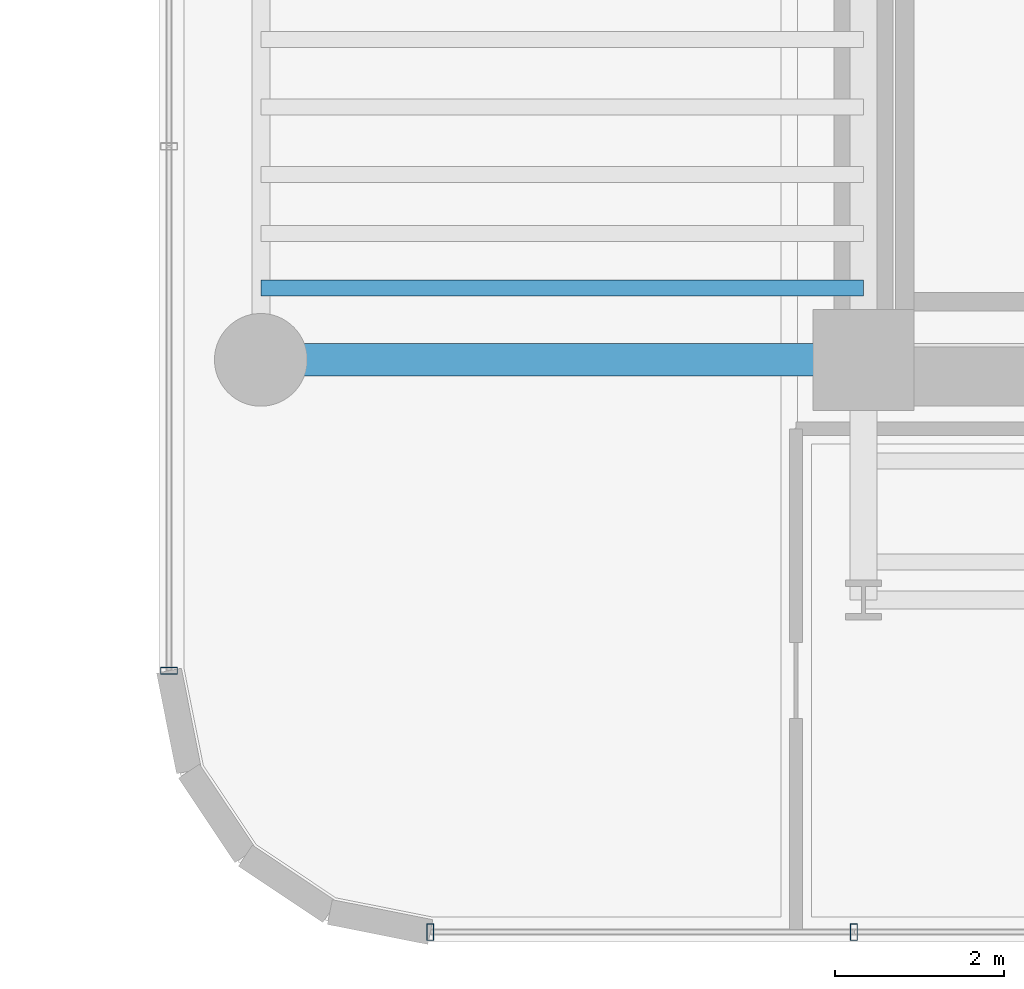
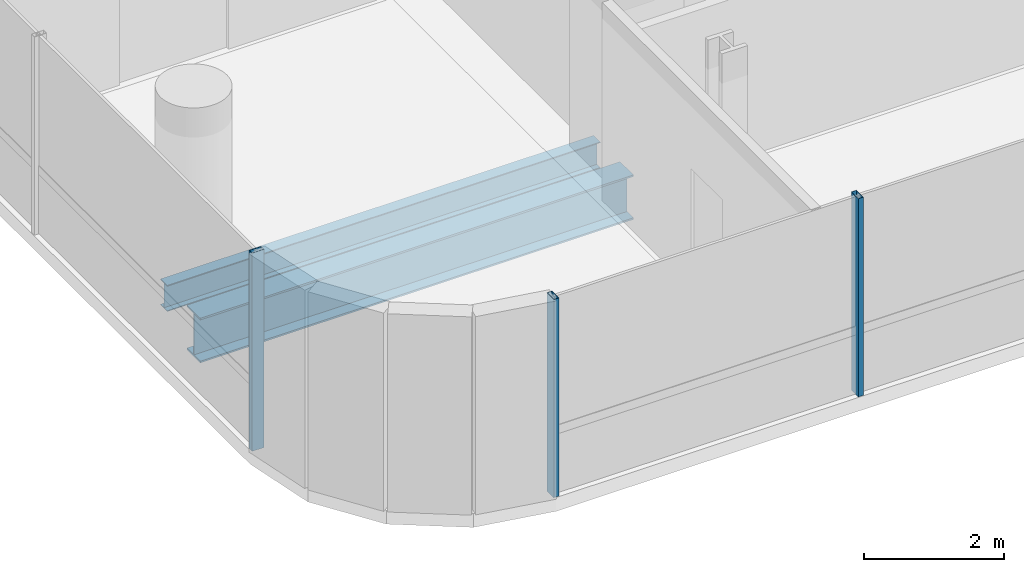
# One storey, part 2 of 34: 3 members, 2 beams, 2 elements without a shape of their own.
"""IFC4 building model written with IfcOpenShell, lengths in metres."""

import ifcopenshell
import ifcopenshell.guid

model = None  # the IFC model being written
_history = None  # IfcOwnerHistory: only IFC2X3 demands one
_inside = {}  # id of a spatial element -> (the spatial element, [elements in it])
_under = {}  # id of a project, library or spatial element -> (it, [spatial elements below it])
_declared = {}  # id of a project -> (the project, [libraries it declares])
_typed = {}  # id of a type object -> (the type object, [elements of that type])
_made_of = {}  # id of a material, layer set ... -> (it, [elements and type objects made of it])


def new_model(schema):
    """Start an empty IFC model of exactly this schema.

    Asked for "IFC4X3", IfcOpenShell would pick the latest addendum, in which some entities
    have other attributes; the version numbers below select the first issue.
    IFC2X3 requires an IfcOwnerHistory on every rooted entity: one is made here for all.
    """
    global model, _history
    if schema == "IFC4X3":
        model = ifcopenshell.file(schema_version=(4, 3, 0, 0))
    else:
        model = ifcopenshell.file(schema=schema)
    _inside.clear()
    _under.clear()
    _declared.clear()
    _typed.clear()
    _made_of.clear()
    _history = None
    if model.schema == "IFC2X3":
        org = make("IfcOrganization", Name="unknown")
        user = make(
            "IfcPersonAndOrganization",
            ThePerson=make("IfcPerson", FamilyName="unknown"),
            TheOrganization=org,
        )
        app = make(
            "IfcApplication",
            ApplicationDeveloper=org,
            Version="unknown",
            ApplicationFullName="unknown",
            ApplicationIdentifier="unknown",
        )
        _history = make(
            "IfcOwnerHistory",
            OwningUser=user,
            OwningApplication=app,
            ChangeAction="ADDED",
            CreationDate=0,
        )
    return model


def make(cls, **values):
    """One entity of the class cls with the attributes given. An attribute that is None is left unset."""
    return model.create_entity(
        cls, **{name: value for name, value in values.items() if value is not None}
    )


def rooted(cls, **values):
    """An entity with a GlobalId (a new one), such as an element, a storey or a relation."""
    return make(cls, GlobalId=ifcopenshell.guid.new(), OwnerHistory=_history, **values)


def si_unit(unit_type, name, prefix=None):
    """IfcSIUnit, for example si_unit("LENGTHUNIT", "METRE", prefix="MILLI")."""
    return make("IfcSIUnit", UnitType=unit_type, Prefix=prefix, Name=name)


def assignment(units):
    """IfcUnitAssignment: the units of a project."""
    return None if units is None else make("IfcUnitAssignment", Units=units)


def point(xyz):
    """IfcCartesianPoint."""
    return None if xyz is None else make("IfcCartesianPoint", Coordinates=xyz)


def direction(xyz):
    """IfcDirection."""
    return None if xyz is None else make("IfcDirection", DirectionRatios=xyz)


def frame(location, z_axis=None, x_axis=None):
    """IfcAxis2Placement3D, a coordinate frame: its origin and axes. An axis left out is left unset."""
    return make(
        "IfcAxis2Placement3D",
        Location=point(location),
        Axis=direction(z_axis),
        RefDirection=direction(x_axis),
    )


def frame_2d(location, x_axis=None):
    """IfcAxis2Placement2D, a coordinate frame in the plane: its origin and x axis."""
    return make(
        "IfcAxis2Placement2D", Location=point(location), RefDirection=direction(x_axis)
    )


def origin():
    """The frame at (0, 0, 0) with its axes left unset."""
    return frame((0.0, 0.0, 0.0))


def origin_2d():
    """The frame at (0, 0) in the plane with its x axis left unset."""
    return frame_2d((0.0, 0.0))


def place(relative_to, where):
    """IfcLocalPlacement: puts the frame where relative to a parent placement (None: the world)."""
    return make(
        "IfcLocalPlacement", PlacementRelTo=relative_to, RelativePlacement=where
    )


def context(
    kind, dimensions, precision=None, world=None, true_north=None, identifier=None
):
    """IfcGeometricRepresentationContext, for example the 3D "Model" context."""
    return make(
        "IfcGeometricRepresentationContext",
        ContextIdentifier=identifier,
        ContextType=kind,
        CoordinateSpaceDimension=dimensions,
        Precision=precision,
        WorldCoordinateSystem=world,
        TrueNorth=true_north,
    )


def subcontext(parent, identifier, kind, view, scale=None):
    """IfcGeometricRepresentationSubContext, for example "Body" below "Model"."""
    return make(
        "IfcGeometricRepresentationSubContext",
        ContextIdentifier=identifier,
        ContextType=kind,
        ParentContext=parent,
        TargetScale=scale,
        TargetView=view,
    )


def project(units=None, contexts=None):
    """IfcProject with its units and contexts."""
    return rooted(
        "IfcProject",
        Name="project",
        RepresentationContexts=contexts,
        UnitsInContext=assignment(units),
    )


def spatial(cls, under=None, at=None, **own):
    """A site, building, storey or space (cls), placed at a placement, below another one or the project."""
    s = rooted(cls, ObjectPlacement=at, **own)
    if under is not None:
        _under.setdefault(under.id(), (under, []))[1].append(s)
    return s


def profile(cls, at=None, kind="AREA", **sizes):
    """A parametric profile (cls). Its sizes go by their IFC names, for example OverallWidth=200.0."""
    return make(cls, ProfileType=kind, Position=at, **sizes)


def hollow_rectangle(**sizes):
    """IfcRectangleHollowProfileDef."""
    return profile("IfcRectangleHollowProfileDef", **sizes)


def i_section(**sizes):
    """IfcIShapeProfileDef."""
    return profile("IfcIShapeProfileDef", **sizes)


def extrude(swept, where, along, depth):
    """IfcExtrudedAreaSolid: the profile swept, set in the frame where, extruded along a direction by depth."""
    return make(
        "IfcExtrudedAreaSolid",
        SweptArea=swept,
        Position=where,
        ExtrudedDirection=direction(along),
        Depth=depth,
    )


def shape(context_of_items, identifier, shape_type, items):
    """IfcShapeRepresentation: the items that make up one representation, for example the "Body"."""
    return make(
        "IfcShapeRepresentation",
        ContextOfItems=context_of_items,
        RepresentationIdentifier=identifier,
        RepresentationType=shape_type,
        Items=items,
    )


def source(mapping_origin, context_of_items, identifier, shape_type, items):
    """IfcRepresentationMap: a shape defined once, which mapped items show again and again."""
    return make(
        "IfcRepresentationMap",
        MappingOrigin=mapping_origin,
        MappedRepresentation=shape(context_of_items, identifier, shape_type, items),
    )


def transform(
    local_origin,
    x_axis=None,
    y_axis=None,
    z_axis=None,
    scale=None,
    scale2=None,
    scale3=None,
    uniform=True,
):
    """IfcCartesianTransformationOperator3D, or its non-uniform kind. x_axis, y_axis, z_axis: its Axis1, 2, 3."""
    if uniform:
        return make(
            "IfcCartesianTransformationOperator3D",
            Axis1=direction(x_axis),
            Axis2=direction(y_axis),
            LocalOrigin=point(local_origin),
            Scale=scale,
            Axis3=direction(z_axis),
        )
    return make(
        "IfcCartesianTransformationOperator3DnonUniform",
        Axis1=direction(x_axis),
        Axis2=direction(y_axis),
        LocalOrigin=point(local_origin),
        Scale=scale,
        Axis3=direction(z_axis),
        Scale2=scale2,
        Scale3=scale3,
    )


def mapped(mapping_source, mapping_target):
    """IfcMappedItem: shows the shape of a source again, moved by a transform."""
    return make(
        "IfcMappedItem", MappingSource=mapping_source, MappingTarget=mapping_target
    )


def material(Name=None, Category=None):
    """IfcMaterial."""
    return make("IfcMaterial", Name=Name, Category=Category)


def material_profile(
    of_material, cross_section, Name=None, Category=None, Priority=None
):
    """IfcMaterialProfile: a cross section and its material."""
    return make(
        "IfcMaterialProfile",
        Name=Name,
        Material=of_material,
        Profile=cross_section,
        Priority=Priority,
        Category=Category,
    )


def profile_set(profiles, Name=None, composite=None):
    """IfcMaterialProfileSet."""
    return make(
        "IfcMaterialProfileSet",
        Name=Name,
        MaterialProfiles=profiles,
        CompositeProfile=composite,
    )


def made_of(thing, what):
    """Note that an element or type object is made of a material, layer set ...; save() writes the relation."""
    if what is not None:
        _made_of.setdefault(what.id(), (what, []))[1].append(thing)
    return thing


def type_object(cls, material=None, **own):
    """A type object (cls), such as IfcWallType, which elements share."""
    return made_of(rooted(cls, **own), material)


def element(
    cls,
    number,
    at=None,
    inside=None,
    cuts=None,
    type_object=None,
    material=None,
    context=None,
    identifier="Body",
    shape_type=None,
    held_by="IfcProductDefinitionShape",
    body=None,
    shapes=None,
    **own,
):
    """One element of the class cls, such as IfcWall. Its Tag is "e" and its number.

    at: its placement. inside: the storey or other place that contains it. cuts: it is an
    opening in that element (IfcRelVoidsElement). A single representation is given by context,
    identifier, shape_type and body (its items); several are given by shapes. held_by: the class
    of the entity that holds the representations. save() writes the other relations.
    """
    e = rooted(cls, Tag="e%d" % number, ObjectPlacement=at, **own)
    if body is not None:
        shapes = [shape(context, identifier, shape_type, body)]
    if shapes is not None:
        e.Representation = make(held_by, Representations=shapes)
    if inside is not None:
        _inside.setdefault(inside.id(), (inside, []))[1].append(e)
    if cuts is not None:
        rooted(
            "IfcRelVoidsElement", RelatingBuildingElement=cuts, RelatedOpeningElement=e
        )
    if type_object is not None:
        _typed.setdefault(type_object.id(), (type_object, []))[1].append(e)
    return made_of(e, material)


def aggregate(whole, parts):
    """IfcRelAggregates: a whole, such as a stair, and the parts it consists of."""
    return rooted("IfcRelAggregates", RelatingObject=whole, RelatedObjects=parts)


def save(model, path):
    """Write the relations noted so far, then the file.

    IfcRelAggregates (storeys below a building ...), IfcRelContainedInSpatialStructure (elements
    in a storey), IfcRelDefinesByType, IfcRelAssociatesMaterial and IfcRelDeclares: one each for
    every whole, place, type object, material and project.
    """
    for whole, parts in _under.values():
        aggregate(whole, parts)
    for where, things in _inside.values():
        rooted(
            "IfcRelContainedInSpatialStructure",
            RelatedElements=things,
            RelatingStructure=where,
        )
    for kind, things in _typed.values():
        rooted("IfcRelDefinesByType", RelatedObjects=things, RelatingType=kind)
    for what, things in _made_of.values():
        rooted("IfcRelAssociatesMaterial", RelatedObjects=things, RelatingMaterial=what)
    for by, libraries in _declared.values():
        rooted("IfcRelDeclares", RelatingContext=by, RelatedDefinitions=libraries)
    model.write(path)


model = new_model("IFC4")

# Units and contexts
model_context = context("Model", 3, precision=1e-05, world=origin(), true_north=direction((0.0, 1.0)))
body_context = subcontext(model_context, "Body", "Model", "MODEL_VIEW")
ifc_project = project(units=[si_unit("LENGTHUNIT", "METRE"), si_unit("AREAUNIT", "SQUARE_METRE"), si_unit("VOLUMEUNIT", "CUBIC_METRE"), si_unit("PLANEANGLEUNIT", "RADIAN"), si_unit("MASSUNIT", "GRAM", prefix="KILO")], contexts=[model_context])

# Site, building, storey
site_placement = place(None, origin())
site = spatial("IfcSite", under=ifc_project, at=site_placement, CompositionType="ELEMENT")
building_placement = place(site_placement, origin())
building = spatial("IfcBuilding", under=site, at=building_placement, Name="Valdorenza Pilgrim Sanctuary Tower", CompositionType="ELEMENT")
storey_placement = place(building_placement, frame((0.0, 0.0, 120.5)))
storey = spatial("IfcBuildingStorey", under=building, at=storey_placement, Name="L30", CompositionType="ELEMENT", Elevation=120.5)

# Beams
ifc_material_1 = material(Name="Steel ASTM A992 Grade 50", Category="steel")
ifc_material_profile_1 = material_profile(ifc_material_1, i_section(OverallWidth=0.382080078125, OverallDepth=0.779052734375, WebThickness=0.01806640625, FlangeThickness=0.030029296875, at=origin_2d()), Name="W30X191")
ifc_profile_set_1 = profile_set([ifc_material_profile_1], Name="Steel ASTM A992 Grade 50")
beam_type_1 = type_object("IfcBeamType", Name="STR-BM-GRD-W30", PredefinedType="BEAM", material=ifc_profile_set_1)
shared_shape_1 = source(origin(), body_context, "Body", "SweptSolid", [
    extrude(i_section(OverallWidth=0.382080078125, OverallDepth=0.779052734375, WebThickness=0.01806640625, FlangeThickness=0.030029296875, at=origin_2d()), origin(), (0.0, 0.0, 1.0), 7.150146484375),
])
beam_1_placement = place(storey_placement, frame((-29.800048828125, -10.60009765625, -0.62939453125), z_axis=(1.0, 0.0, 0.0), x_axis=(0.0, 1.0, 0.0)))
element("IfcBeam", 1, at=beam_1_placement, inside=storey, type_object=beam_type_1, Name="L30 Floor Girder WA-XW-S1", PredefinedType="BEAM", context=body_context, shape_type="MappedRepresentation", body=[
    mapped(shared_shape_1, transform((0.0, 0.0, 0.0), x_axis=(1.0, 0.0, 0.0), y_axis=(0.0, 1.0, 0.0), z_axis=(0.0, 0.0, 1.0), scale=1.0)),
])
ifc_material_profile_2 = material_profile(ifc_material_1, i_section(OverallWidth=0.19091796875, OverallDepth=0.45703125, WebThickness=0.009033203125, FlangeThickness=0.014404296875, at=origin_2d()), Name="W18X50")
ifc_profile_set_2 = profile_set([ifc_material_profile_2], Name="Steel ASTM A992 Grade 50")
beam_type_2 = type_object("IfcBeamType", Name="STR-BM-JST-W18B", PredefinedType="JOIST", material=ifc_profile_set_2)
shared_shape_2 = source(origin(), body_context, "Body", "SweptSolid", [
    extrude(i_section(OverallWidth=0.19091796875, OverallDepth=0.45703125, WebThickness=0.009033203125, FlangeThickness=0.014404296875, at=origin_2d()), origin(), (0.0, 0.0, 1.0), 7.150146484375),
])
beam_2_placement = place(storey_placement, frame((-29.800048828125, -9.75, -0.468505859375), z_axis=(1.0, 0.0, 0.0), x_axis=(0.0, 1.0, 0.0)))
element("IfcBeam", 2, at=beam_2_placement, inside=storey, type_object=beam_type_2, Name="L30 Composite Floor Joist JST-WA-1", PredefinedType="JOIST", context=body_context, shape_type="MappedRepresentation", body=[
    mapped(shared_shape_2, transform((0.0, 0.0, 0.0), x_axis=(1.0, 0.0, 0.0), y_axis=(0.0, 1.0, 0.0), z_axis=(0.0, 0.0, 1.0), scale=1.0)),
])

# Curtain wall, member
ifc_material_2 = material(Name="Curtain-wall IGU glazing", Category="glass")
curtain_wall_type = type_object("IfcCurtainWallType", Name="CW-SYS-02", PredefinedType="NOTDEFINED", material=ifc_material_2)
curtain_wall_1_placement = place(storey_placement, origin())
curtain_wall_1 = element("IfcCurtainWall", 3, at=curtain_wall_1_placement, inside=storey, type_object=curtain_wall_type, Name="L30 Curtain Wall CW-L30-1-1S1", PredefinedType="NOTDEFINED")
ifc_material_3 = material(Name="Anodised aluminium AW-6060", Category="aluminium")
ifc_material_profile_3 = material_profile(ifc_material_3, hollow_rectangle(XDim=0.0849609375, YDim=0.199951171875, WallThickness=0.0048828125, at=origin_2d()), Name="ALU-M 200x85x5")
ifc_profile_set_3 = profile_set([ifc_material_profile_3], Name="Anodised aluminium AW-6060")
member_type = type_object("IfcMemberType", Name="CW-MUL-02", PredefinedType="MULLION", material=ifc_profile_set_3)
shared_shape_3 = source(origin(), body_context, "Body", "SweptSolid", [
    extrude(hollow_rectangle(XDim=0.0849609375, YDim=0.199951171875, WallThickness=0.0048828125, at=origin_2d()), origin(), (0.0, 0.0, 1.0), 3.4599609375),
])
member_1_placement = place(storey_placement, frame((-30.889892578125, -14.289306640625, 0.0), z_axis=(0.0, 0.0, 1.0), x_axis=(0.0, 1.0, 0.0)))
member_1 = element("IfcMember", 4, at=member_1_placement, type_object=member_type, Name="CW-L30-1-1S1 Mullion 1", PredefinedType="MULLION", context=body_context, shape_type="MappedRepresentation", body=[
    mapped(shared_shape_3, transform((0.0, 0.0, 0.0), x_axis=(1.0, 0.0, 0.0), y_axis=(0.0, 1.0, 0.0), z_axis=(0.0, 0.0, 1.0), scale=1.0)),
])
aggregate(curtain_wall_1, [member_1])

# Curtain wall, members
curtain_wall_2_placement = place(storey_placement, origin())
curtain_wall_2 = element("IfcCurtainWall", 5, at=curtain_wall_2_placement, inside=storey, type_object=curtain_wall_type, Name="L30 Curtain Wall CW-L30-1-46", PredefinedType="NOTDEFINED")
member_2_placement = place(storey_placement, frame((-22.76318359375, -17.389892578125, 0.0), z_axis=(0.0, 0.0, 1.0), x_axis=(-1.0, 0.0, 0.0)))
member_2 = element("IfcMember", 6, at=member_2_placement, type_object=member_type, Name="CW-L30-1-46 Mullion 3", PredefinedType="MULLION", context=body_context, shape_type="MappedRepresentation", body=[
    mapped(shared_shape_3, transform((0.0, 0.0, 0.0), x_axis=(1.0, 0.0, 0.0), y_axis=(0.0, 1.0, 0.0), z_axis=(0.0, 0.0, 1.0), scale=1.0)),
])
member_3_placement = place(storey_placement, frame((-27.789306640625, -17.389892578125, 0.0), z_axis=(0.0, 0.0, 1.0), x_axis=(-1.0, 0.0, 0.0)))
member_3 = element("IfcMember", 7, at=member_3_placement, type_object=member_type, Name="CW-L30-1-46 Mullion 4", PredefinedType="MULLION", context=body_context, shape_type="MappedRepresentation", body=[
    mapped(shared_shape_3, transform((0.0, 0.0, 0.0), x_axis=(1.0, 0.0, 0.0), y_axis=(0.0, 1.0, 0.0), z_axis=(0.0, 0.0, 1.0), scale=1.0)),
])
aggregate(curtain_wall_2, [member_2, member_3])

save(model, "model.ifc")
